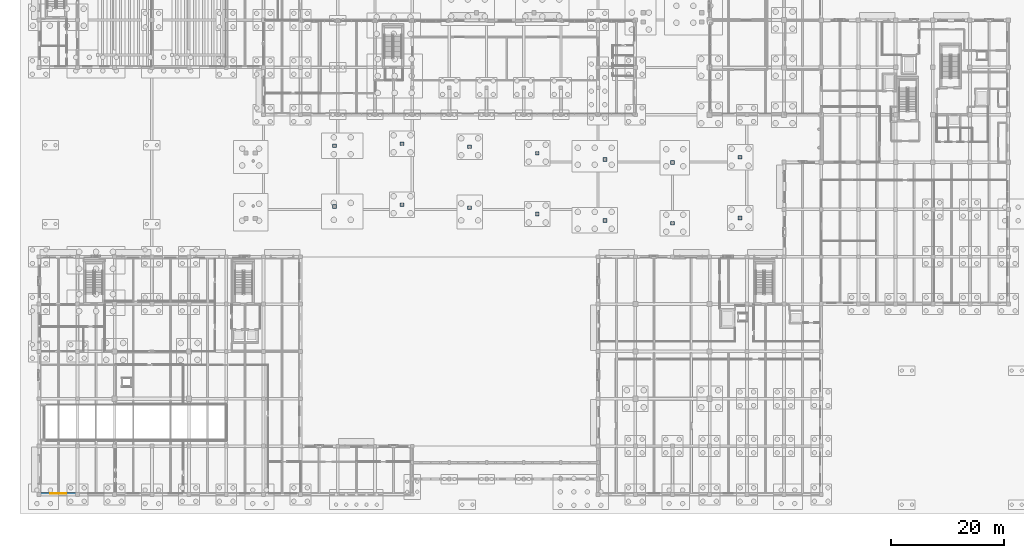
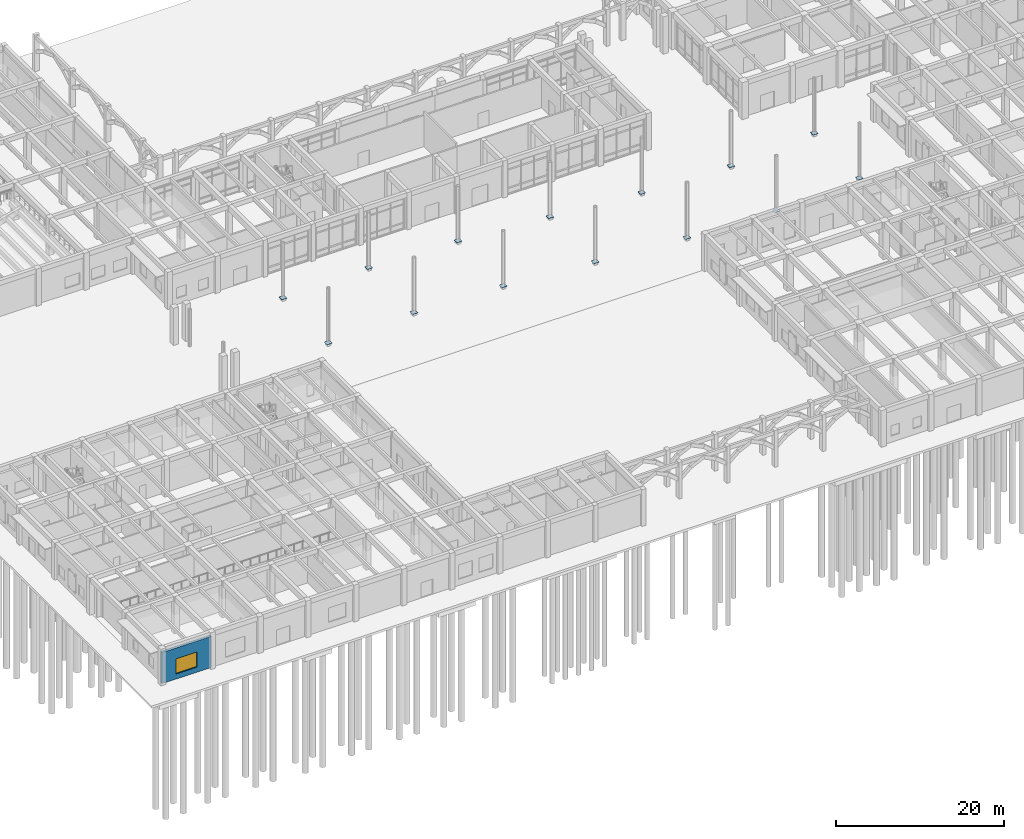
# One storey, part 47 of 82: 14 plates, 1 wall, 1 window, 1 opening.
"""IFC4 building model written with IfcOpenShell, lengths in metres."""

from ifc_helpers import new_model, si_unit, direction, frame, frame_2d, origin, origin_2d, place, context, subcontext, project, spatial, rectangle, extrude, material, layer, layer_set, type_object, element, fill, save


model = new_model("IFC4")

# Units and contexts
model_context = context("Model", 3, precision=1e-05, world=origin(), true_north=direction((0.0, 1.0)))
body_context = subcontext(model_context, "Body", "Model", "MODEL_VIEW")
ifc_project = project(units=[si_unit("LENGTHUNIT", "METRE"), si_unit("AREAUNIT", "SQUARE_METRE"), si_unit("VOLUMEUNIT", "CUBIC_METRE"), si_unit("PLANEANGLEUNIT", "RADIAN"), si_unit("MASSUNIT", "GRAM", prefix="KILO")], contexts=[model_context])

# Site, building, storey
site_placement = place(None, origin())
site = spatial("IfcSite", under=ifc_project, at=site_placement, CompositionType="ELEMENT")
building_placement = place(site_placement, origin())
building = spatial("IfcBuilding", under=site, at=building_placement, Name="Kolvaren Faculty of Natural Sciences", CompositionType="ELEMENT")
storey_placement = place(building_placement, origin())
storey = spatial("IfcBuildingStorey", under=building, at=storey_placement, Name="L00", CompositionType="ELEMENT", Elevation=0.0)

# Plates
ifc_material_1 = material(Name="Structural steel EN 10025-2 S355J2 (white architectural finish)", Category="steel")
ifc_layer_1 = layer(ifc_material_1, 0.030029296875)
ifc_layer_set_1 = layer_set([ifc_layer_1], Name="Structural steel EN 10025-2 S355J2 (white architectural finish)")
plate_type_1 = type_object("IfcPlateType", Name="PortalTreeNodePlate_TN2", PredefinedType="USERDEFINED", material=ifc_layer_set_1)
for number, where, z_axis, x_axis, name in (
    (1, (52.39990234375, 51.09375, 0.337646484375), (0.0, 0.0, 1.0), (1.0, 0.0, 0.0), "Steel tree TREE-01 baseplate node TN2"),
    (2, (52.39990234375, 61.893798828125, 0.337646484375), (0.0, 0.0, 1.0), (1.0, 0.0, 0.0), "Steel tree TREE-02 baseplate node TN2"),
    (3, (124.39990234375, 49.069580078125, 0.337646484375), (0.0, 0.0, 1.0), (1.0, 0.0, 0.0), "Steel tree TREE-13 baseplate node TN2"),
    (4, (124.39990234375, 59.86962890625, 0.337646484375), (0.0, 0.0, 1.0), (1.0, 0.0, 0.0), "Steel tree TREE-14 baseplate node TN2"),
):
    element("IfcPlate", number, at=place(storey_placement, frame(where, z_axis=z_axis, x_axis=x_axis)), inside=storey, type_object=plate_type_1, Name=name, ObjectType="GUSSET PLATE", PredefinedType="USERDEFINED", context=body_context, shape_type="SweptSolid", body=[
        extrude(rectangle(XDim=0.679931640625, YDim=0.679931640625, at=origin_2d()), origin(), (0.0, 0.0, 1.0), 0.02490234375),
    ])
ifc_layer_2 = layer(ifc_material_1, 0.02490234375)
ifc_layer_set_2 = layer_set([ifc_layer_2], Name="Structural steel EN 10025-2 S355J2 (white architectural finish)")
plate_type_2 = type_object("IfcPlateType", Name="TreeTrunkNodePlate_TN1", PredefinedType="USERDEFINED", material=ifc_layer_set_2)
for number, where, z_axis, x_axis, name in (
    (5, (64.39990234375, 51.444580078125, 0.337646484375), (0.0, 0.0, 1.0), (1.0, 0.0, 0.0), "Steel tree TREE-03 baseplate node TN1"),
    (6, (64.39990234375, 62.244384765625, 0.337646484375), (0.0, 0.0, 1.0), (1.0, 0.0, 0.0), "Steel tree TREE-04 baseplate node TN1"),
    (7, (76.39990234375, 50.91064453125, 0.337646484375), (0.0, 0.0, 1.0), (1.0, 0.0, 0.0), "Steel tree TREE-05 baseplate node TN1"),
    (8, (76.39990234375, 61.710693359375, 0.337646484375), (0.0, 0.0, 1.0), (1.0, 0.0, 0.0), "Steel tree TREE-06 baseplate node TN1"),
    (9, (88.39990234375, 49.779296875, 0.337646484375), (0.0, 0.0, 1.0), (1.0, 0.0, 0.0), "Steel tree TREE-07 baseplate node TN1"),
    (10, (88.39990234375, 60.579345703125, 0.337646484375), (0.0, 0.0, 1.0), (1.0, 0.0, 0.0), "Steel tree TREE-08 baseplate node TN1"),
    (11, (100.39990234375, 48.6591796875, 0.337646484375), (0.0, 0.0, 1.0), (1.0, 0.0, 0.0), "Steel tree TREE-09 baseplate node TN1"),
    (12, (100.39990234375, 59.458984375, 0.337646484375), (0.0, 0.0, 1.0), (1.0, 0.0, 0.0), "Steel tree TREE-10 baseplate node TN1"),
    (13, (112.39990234375, 48.152587890625, 0.337646484375), (0.0, 0.0, 1.0), (1.0, 0.0, 0.0), "Steel tree TREE-11 baseplate node TN1"),
    (14, (112.39990234375, 58.95263671875, 0.337646484375), (0.0, 0.0, 1.0), (1.0, 0.0, 0.0), "Steel tree TREE-12 baseplate node TN1"),
):
    element("IfcPlate", number, at=place(storey_placement, frame(where, z_axis=z_axis, x_axis=x_axis)), inside=storey, type_object=plate_type_2, Name=name, ObjectType="GUSSET PLATE", PredefinedType="USERDEFINED", context=body_context, shape_type="SweptSolid", body=[
        extrude(rectangle(XDim=0.679931640625, YDim=0.679931640625, at=origin_2d()), origin(), (0.0, 0.0, 1.0), 0.02490234375),
    ])

# Wall, opening, window
ifc_material_2 = material(Name="Sandstone-faced insulated cavity masonry", Category="masonry")
ifc_layer_3 = layer(ifc_material_2, 0.340087890625)
ifc_layer_set_3 = layer_set([ifc_layer_3], Name="Sandstone-faced insulated cavity masonry")
wall_type = type_object("IfcWallType", Name="ExteriorCavityWall_340", PredefinedType="STANDARD", material=ifc_layer_set_3)
wall_placement = place(storey_placement, frame((6.800048828125, 0.169921875, 0.0), z_axis=(0.0, 0.0, 1.0), x_axis=(-1.0, 0.0, 0.0)))
wall = element("IfcWall", 15, at=wall_placement, inside=storey, type_object=wall_type, Name="L00 exterior masonry wall EW-340 (7)", PredefinedType="STANDARD", context=body_context, shape_type="SweptSolid", body=[
    extrude(rectangle(XDim=6.800048828125, YDim=0.340087890625, at=frame_2d((3.39990234375, 0.0))), origin(), (0.0, 0.0, 1.0), 4.534912109375),
])
opening_placement = place(wall_placement, frame((1.949951171875, 0.0, 0.75)))
opening = element("IfcOpeningElement", 16, at=opening_placement, cuts=wall, Name="Opening WIN-12", PredefinedType="OPENING", context=body_context, shape_type="SweptSolid", body=[
    extrude(rectangle(XDim=2.89990234375, YDim=2.199951171875, at=frame_2d((1.449951171875, 1.10009765625))), frame((0.0, 0.179931640625, 0.0), z_axis=(0.0, -1.0, 0.0), x_axis=(1.0, 0.0, 0.0)), (0.0, 0.0, 1.0), 0.360107421875),
])
ifc_material_3 = material(Name="Double low-E solar control insulated glazing", Category="glass")
window_type = type_object("IfcWindowType", Name="AluWindow_WIN12_2900x2200", PartitioningType="SINGLE_PANEL", PredefinedType="WINDOW", material=ifc_material_3)
window_placement = place(opening_placement, origin())
window = element("IfcWindow", 17, at=window_placement, inside=storey, type_object=window_type, Name="WIN-L00-0017", OverallHeight=2.199951171875, OverallWidth=2.89990234375, PartitioningType="SINGLE_PANEL", PredefinedType="WINDOW", context=body_context, shape_type="SweptSolid", body=[
    extrude(rectangle(XDim=2.89990234375, YDim=2.199951171875, at=frame_2d((1.449951171875, 1.10009765625))), frame((0.0, 0.030029296875, 0.0), z_axis=(0.0, -1.0, 0.0), x_axis=(1.0, 0.0, 0.0)), (0.0, 0.0, 1.0), 0.06005859375),
])
fill(opening, window)

save(model, "model.ifc")
